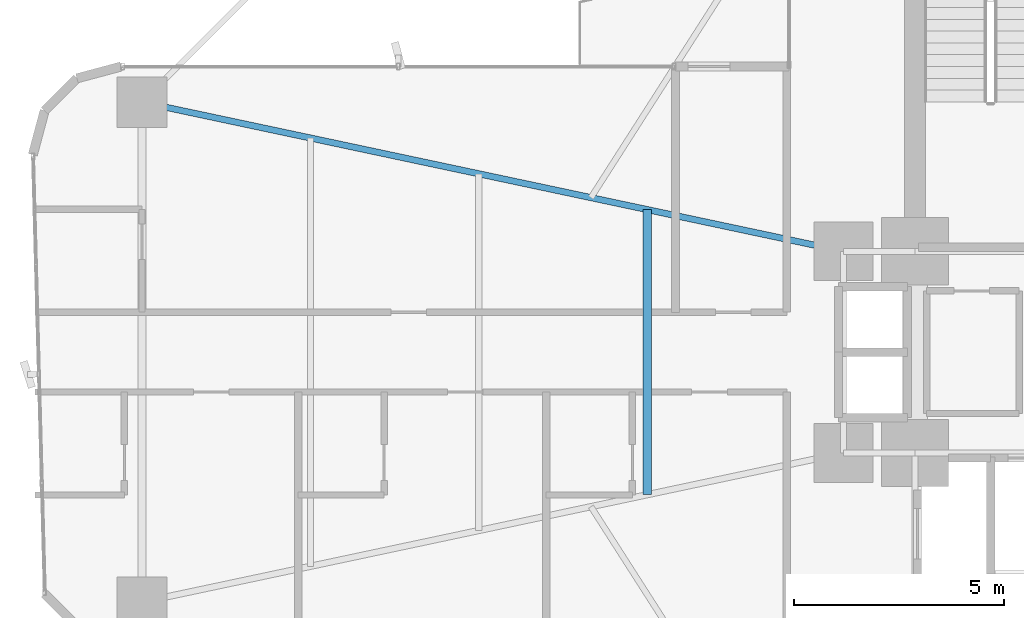
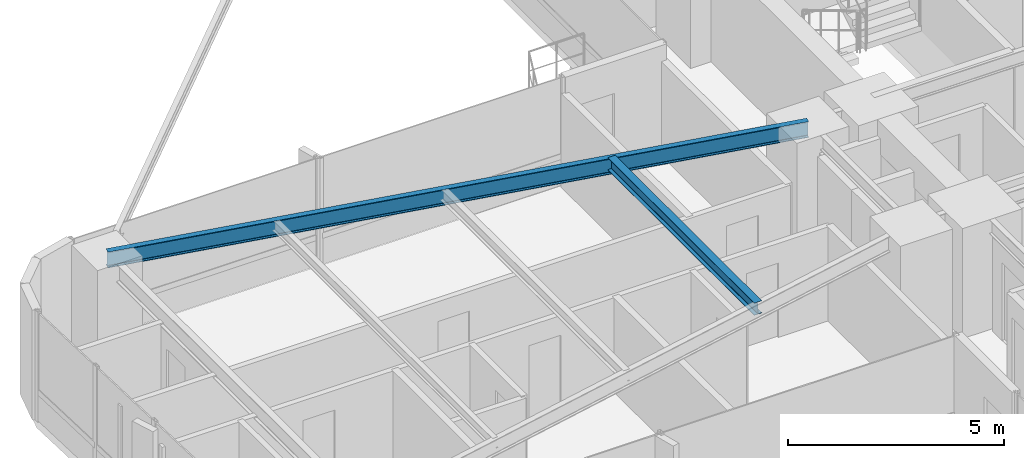
# One storey, part 9 of 25: 2 beams.
"""IFC4 building model written with IfcOpenShell, lengths in metres."""

from ifc_helpers import new_model, si_unit, direction, frame, origin, origin_2d, place, context, subcontext, project, spatial, i_section, extrude, source, transform, mapped, material, material_profile, profile_set, type_object, element, save


model = new_model("IFC4")

# Units and contexts
model_context = context("Model", 3, precision=1e-05, world=origin(), true_north=direction((0.0, 1.0)))
body_context = subcontext(model_context, "Body", "Model", "MODEL_VIEW")
ifc_project = project(units=[si_unit("LENGTHUNIT", "METRE"), si_unit("AREAUNIT", "SQUARE_METRE"), si_unit("VOLUMEUNIT", "CUBIC_METRE"), si_unit("PLANEANGLEUNIT", "RADIAN"), si_unit("MASSUNIT", "GRAM", prefix="KILO")], contexts=[model_context])

# Site, building, storey
site_placement = place(None, origin())
site = spatial("IfcSite", under=ifc_project, at=site_placement, CompositionType="ELEMENT")
building_placement = place(site_placement, origin())
building = spatial("IfcBuilding", under=site, at=building_placement, Name="Sahyath Konkavel Grand Hotel", CompositionType="ELEMENT")
storey_placement = place(building_placement, frame((0.0, 0.0, 57.75)))
storey = spatial("IfcBuildingStorey", under=building, at=storey_placement, Name="L15", CompositionType="ELEMENT", Elevation=57.75)

# Beams
ifc_material = material(Name="Steel E350", Category="steel")
ifc_material_profile_1 = material_profile(ifc_material, i_section(OverallWidth=0.14990234375, OverallDepth=0.449951171875, WebThickness=0.009521484375, FlangeThickness=0.017333984375, FilletRadius=0.014892578125, at=origin_2d()), Name="ISMB 450")
ifc_profile_set_1 = profile_set([ifc_material_profile_1], Name="Steel E350")
beam_type_1 = type_object("IfcBeamType", Name="BM-ISMB450", PredefinedType="BEAM", material=ifc_profile_set_1)
shared_shape_1 = source(origin(), body_context, "Body", "SweptSolid", [
    extrude(i_section(OverallWidth=0.14990234375, OverallDepth=0.449951171875, WebThickness=0.009521484375, FlangeThickness=0.017333984375, FilletRadius=0.014892578125, at=origin_2d()), origin(), (0.0, 0.0, 1.0), 17.072998046875),
])
beam_1_placement = place(storey_placement, frame((-5.5, 2.39990234375, 2.885009765625), z_axis=(-0.978143257225, 0.20793212437, 0.0), x_axis=(-0.20793212437, -0.978143257225, 0.0)))
element("IfcBeam", 1, at=beam_1_placement, inside=storey, type_object=beam_type_1, Name="L15 Cruciform Radial Girder WA", PredefinedType="BEAM", context=body_context, shape_type="MappedRepresentation", body=[
    mapped(shared_shape_1, transform((0.0, 0.0, 0.0), scale=1.0)),
])
ifc_material_profile_2 = material_profile(ifc_material, i_section(OverallWidth=0.199951171875, OverallDepth=0.35009765625, WebThickness=0.008056640625, FlangeThickness=0.011474609375, FilletRadius=0.013916015625, at=origin_2d()), Name="ISWB 350")
ifc_profile_set_2 = profile_set([ifc_material_profile_2], Name="Steel E350")
beam_type_2 = type_object("IfcBeamType", Name="BM-ISWB350", PredefinedType="BEAM", material=ifc_profile_set_2)
shared_shape_2 = source(origin(), body_context, "Body", "SweptSolid", [
    extrude(i_section(OverallWidth=0.199951171875, OverallDepth=0.35009765625, WebThickness=0.008056640625, FlangeThickness=0.011474609375, FilletRadius=0.013916015625, at=origin_2d()), origin(), (0.0, 0.0, 1.0), 6.7880859375),
])
beam_2_placement = place(storey_placement, frame((-10.176025390625, 3.39404296875, 2.93505859375), z_axis=(0.0, -1.0, 0.0), x_axis=(1.0, 0.0, 0.0)))
element("IfcBeam", 2, at=beam_2_placement, inside=storey, type_object=beam_type_2, Name="L15 Secondary Floor Beam W-1", PredefinedType="BEAM", context=body_context, shape_type="MappedRepresentation", body=[
    mapped(shared_shape_2, transform((0.0, 0.0, 0.0), scale=1.0)),
])

save(model, "model.ifc")
